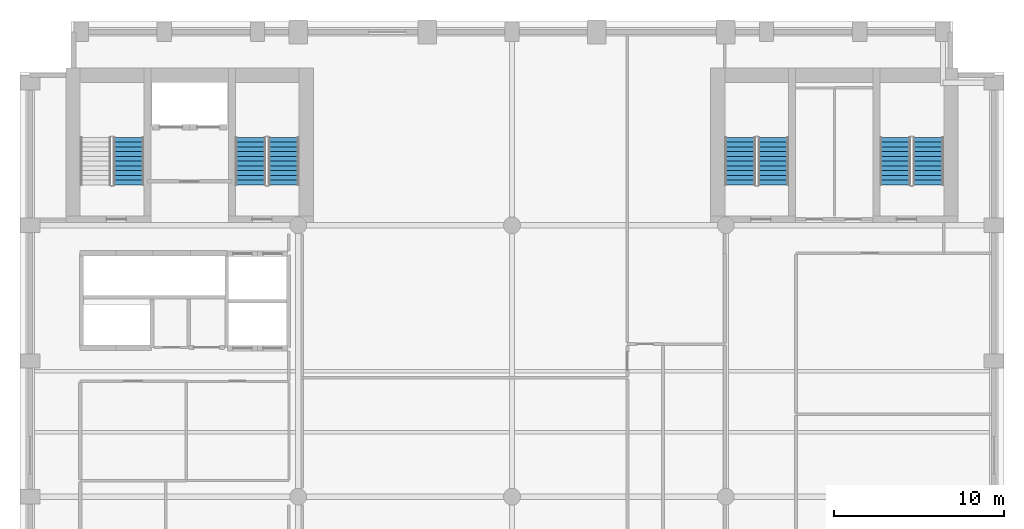
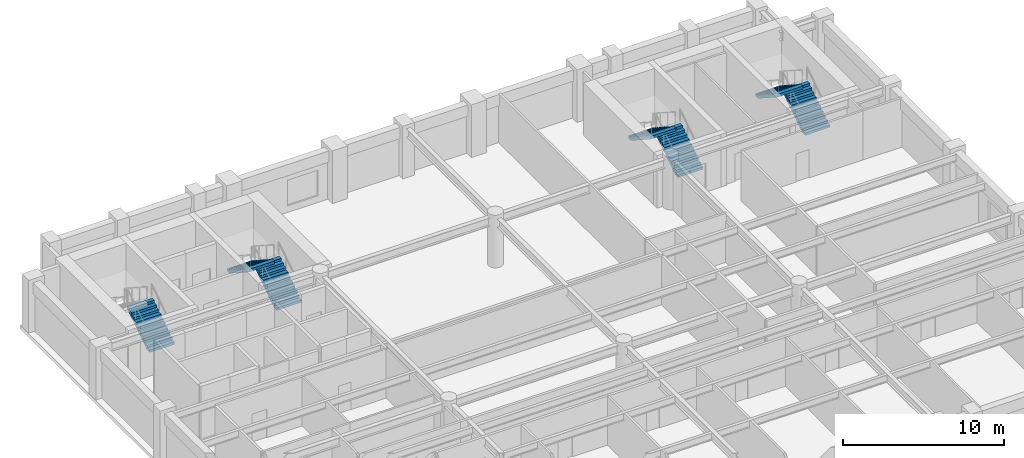
# One storey, part 6 of 8: 7 stair flights, 4 elements without a shape of their own.
"""IFC4 building model written with IfcOpenShell, lengths in metres."""

from ifc_helpers import new_model, si_unit, direction, frame, origin, place, context, subcontext, project, spatial, polyline, outline, extrude, material, type_object, element, aggregate, save


model = new_model("IFC4")

# Units and contexts
model_context = context("Model", 3, precision=1e-05, world=origin(), true_north=direction((0.0, 1.0)))
body_context = subcontext(model_context, "Body", "Model", "MODEL_VIEW")
ifc_project = project(units=[si_unit("LENGTHUNIT", "METRE"), si_unit("AREAUNIT", "SQUARE_METRE"), si_unit("VOLUMEUNIT", "CUBIC_METRE"), si_unit("PLANEANGLEUNIT", "RADIAN"), si_unit("MASSUNIT", "GRAM", prefix="KILO")], contexts=[model_context])

# Site, building, storey
site_placement = place(None, origin())
site = spatial("IfcSite", under=ifc_project, at=site_placement, CompositionType="ELEMENT")
building_placement = place(site_placement, origin())
building = spatial("IfcBuilding", under=site, at=building_placement, Name="Sulina Concourse Tower", CompositionType="ELEMENT")
storey_placement = place(building_placement, frame((0.0, 0.0, 148.60009765625)))
storey = spatial("IfcBuildingStorey", under=building, at=storey_placement, Name="L36", CompositionType="ELEMENT", Elevation=148.60009765625)

# Stair, stair flights
ifc_material_1 = material(Name="Concrete C50/60", Category="concrete")
stair_type_1 = type_object("IfcStairType", Name="Portal & Podium Core Exit Stair 1820mm", PredefinedType="HALF_TURN_STAIR", material=ifc_material_1)
stair_1_placement = place(storey_placement, origin())
stair_1 = element("IfcStair", 1, at=stair_1_placement, inside=storey, type_object=stair_type_1, Name="L36 ST-3", PredefinedType="HALF_TURN_STAIR")
ifc_material_2 = material(Name="Concrete C50/60", Category="concrete")
stair_flight_type_1 = type_object("IfcStairFlightType", Name="Portal & Podium Core Exit Stair 1820mm Flight", PredefinedType="STRAIGHT", material=ifc_material_2)
stair_flight_1_placement = place(storey_placement, frame((44.405029296875, 36.375, 0.0), z_axis=(0.0, 0.0, 1.0), x_axis=(0.0, 1.0, 0.0)))
stair_flight_1 = element("IfcStairFlight", 2, at=stair_flight_1_placement, type_object=stair_flight_type_1, Name="ST-3 flight 1", NumberOfRisers=11, NumberOfTreads=10, PredefinedType="STRAIGHT", RiserHeight=0.181818182, TreadLength=0.28, context=body_context, shape_type="SweptSolid", body=[
    extrude(outline(polyline([(0.0, 0.0), (0.0, 0.181884765625), (0.280029296875, 0.181884765625), (0.280029296875, 0.363525390625), (0.56005859375, 0.363525390625), (0.56005859375, 0.54541015625), (0.840087890625, 0.54541015625), (0.840087890625, 0.727294921875), (1.1201171875, 0.727294921875), (1.1201171875, 0.9091796875), (1.39990234375, 0.9091796875), (1.39990234375, 1.0908203125), (1.679931640625, 1.0908203125), (1.679931640625, 1.272705078125), (1.9599609375, 1.272705078125), (1.9599609375, 1.45458984375), (2.239990234375, 1.45458984375), (2.239990234375, 1.636474609375), (2.52001953125, 1.636474609375), (2.52001953125, 1.818115234375), (2.800048828125, 1.818115234375), (2.800048828125, 2.0), (2.800048828125, 1.603759765625), (0.330322265625, 0.0), (0.0, 0.0)])), frame((0.0, 0.89990234375, 0.0), z_axis=(0.0, -1.0, 0.0), x_axis=(1.0, 0.0, 0.0)), (0.0, 0.0, 1.0), 1.800048828125),
])
stair_flight_2_placement = place(storey_placement, frame((42.455078125, 39.175048828125, 2.0), z_axis=(0.0, 0.0, 1.0), x_axis=(0.0, -1.0, 0.0)))
stair_flight_2 = element("IfcStairFlight", 3, at=stair_flight_2_placement, type_object=stair_flight_type_1, Name="ST-3 flight 2", NumberOfRisers=11, NumberOfTreads=10, PredefinedType="STRAIGHT", RiserHeight=0.181818182, TreadLength=0.28, context=body_context, shape_type="SweptSolid", body=[
    extrude(outline(polyline([(0.0, 0.0), (0.0, 0.181884765625), (0.280029296875, 0.181884765625), (0.280029296875, 0.363525390625), (0.56005859375, 0.363525390625), (0.56005859375, 0.54541015625), (0.840087890625, 0.54541015625), (0.840087890625, 0.727294921875), (1.1201171875, 0.727294921875), (1.1201171875, 0.9091796875), (1.39990234375, 0.9091796875), (1.39990234375, 1.0908203125), (1.679931640625, 1.0908203125), (1.679931640625, 1.272705078125), (1.9599609375, 1.272705078125), (1.9599609375, 1.45458984375), (2.239990234375, 1.45458984375), (2.239990234375, 1.636474609375), (2.52001953125, 1.636474609375), (2.52001953125, 1.818115234375), (2.800048828125, 1.818115234375), (2.800048828125, 2.0), (2.800048828125, 1.603759765625), (0.330322265625, 0.0), (0.0, 0.0)])), frame((0.0, 0.89990234375, 0.0), z_axis=(0.0, -1.0, 0.0), x_axis=(1.0, 0.0, 0.0)), (0.0, 0.0, 1.0), 1.800048828125),
])
aggregate(stair_1, [stair_flight_1, stair_flight_2])

stair_2_placement = place(storey_placement, origin())
stair_2 = element("IfcStair", 4, at=stair_2_placement, inside=storey, type_object=stair_type_1, Name="L36 ST-4", PredefinedType="HALF_TURN_STAIR")
stair_flight_3_placement = place(storey_placement, frame((53.544921875, 36.375, 0.0), z_axis=(0.0, 0.0, 1.0), x_axis=(0.0, 1.0, 0.0)))
stair_flight_3 = element("IfcStairFlight", 5, at=stair_flight_3_placement, type_object=stair_flight_type_1, Name="ST-4 flight 1", NumberOfRisers=11, NumberOfTreads=10, PredefinedType="STRAIGHT", RiserHeight=0.181818182, TreadLength=0.28, context=body_context, shape_type="SweptSolid", body=[
    extrude(outline(polyline([(0.0, 0.0), (0.0, 0.181884765625), (0.280029296875, 0.181884765625), (0.280029296875, 0.363525390625), (0.56005859375, 0.363525390625), (0.56005859375, 0.54541015625), (0.840087890625, 0.54541015625), (0.840087890625, 0.727294921875), (1.1201171875, 0.727294921875), (1.1201171875, 0.9091796875), (1.39990234375, 0.9091796875), (1.39990234375, 1.0908203125), (1.679931640625, 1.0908203125), (1.679931640625, 1.272705078125), (1.9599609375, 1.272705078125), (1.9599609375, 1.45458984375), (2.239990234375, 1.45458984375), (2.239990234375, 1.636474609375), (2.52001953125, 1.636474609375), (2.52001953125, 1.818115234375), (2.800048828125, 1.818115234375), (2.800048828125, 2.0), (2.800048828125, 1.603759765625), (0.330322265625, 0.0), (0.0, 0.0)])), frame((0.0, 0.89990234375, 0.0), z_axis=(0.0, -1.0, 0.0), x_axis=(1.0, 0.0, 0.0)), (0.0, 0.0, 1.0), 1.800048828125),
])
stair_flight_4_placement = place(storey_placement, frame((51.594970703125, 39.175048828125, 2.0), z_axis=(0.0, 0.0, 1.0), x_axis=(0.0, -1.0, 0.0)))
stair_flight_4 = element("IfcStairFlight", 6, at=stair_flight_4_placement, type_object=stair_flight_type_1, Name="ST-4 flight 2", NumberOfRisers=11, NumberOfTreads=10, PredefinedType="STRAIGHT", RiserHeight=0.181818182, TreadLength=0.28, context=body_context, shape_type="SweptSolid", body=[
    extrude(outline(polyline([(0.0, 0.0), (0.0, 0.181884765625), (0.280029296875, 0.181884765625), (0.280029296875, 0.363525390625), (0.56005859375, 0.363525390625), (0.56005859375, 0.54541015625), (0.840087890625, 0.54541015625), (0.840087890625, 0.727294921875), (1.1201171875, 0.727294921875), (1.1201171875, 0.9091796875), (1.39990234375, 0.9091796875), (1.39990234375, 1.0908203125), (1.679931640625, 1.0908203125), (1.679931640625, 1.272705078125), (1.9599609375, 1.272705078125), (1.9599609375, 1.45458984375), (2.239990234375, 1.45458984375), (2.239990234375, 1.636474609375), (2.52001953125, 1.636474609375), (2.52001953125, 1.818115234375), (2.800048828125, 1.818115234375), (2.800048828125, 2.0), (2.800048828125, 1.603759765625), (0.330322265625, 0.0), (0.0, 0.0)])), frame((0.0, 0.89990234375, 0.0), z_axis=(0.0, -1.0, 0.0), x_axis=(1.0, 0.0, 0.0)), (0.0, 0.0, 1.0), 1.800048828125),
])
aggregate(stair_2, [stair_flight_3, stair_flight_4])

# Stair, stair flight
ifc_material_3 = material(Name="Concrete C50/60", Category="concrete")
stair_type_2 = type_object("IfcStairType", Name="Primary Core Dog-Leg Exit Stair 1800mm", PredefinedType="HALF_TURN_STAIR", material=ifc_material_3)
stair_3_placement = place(storey_placement, origin())
stair_3 = element("IfcStair", 7, at=stair_3_placement, inside=storey, type_object=stair_type_2, Name="L36 ST-1", PredefinedType="HALF_TURN_STAIR")
ifc_material_4 = material(Name="Concrete C50/60", Category="concrete")
stair_flight_type_2 = type_object("IfcStairFlightType", Name="Primary Core Dog-Leg Exit Stair 1800mm Flight", PredefinedType="STRAIGHT", material=ifc_material_4)
stair_flight_5_placement = place(storey_placement, frame((6.405029296875, 36.375, 0.0), z_axis=(0.0, 0.0, 1.0), x_axis=(0.0, 1.0, 0.0)))
stair_flight_5 = element("IfcStairFlight", 8, at=stair_flight_5_placement, type_object=stair_flight_type_2, Name="ST-1 flight 1", NumberOfRisers=11, NumberOfTreads=10, PredefinedType="STRAIGHT", RiserHeight=0.181818182, TreadLength=0.28, context=body_context, shape_type="SweptSolid", body=[
    extrude(outline(polyline([(0.0, 0.0), (0.0, 0.181884765625), (0.280029296875, 0.181884765625), (0.280029296875, 0.363525390625), (0.56005859375, 0.363525390625), (0.56005859375, 0.54541015625), (0.840087890625, 0.54541015625), (0.840087890625, 0.727294921875), (1.1201171875, 0.727294921875), (1.1201171875, 0.9091796875), (1.39990234375, 0.9091796875), (1.39990234375, 1.0908203125), (1.679931640625, 1.0908203125), (1.679931640625, 1.272705078125), (1.9599609375, 1.272705078125), (1.9599609375, 1.45458984375), (2.239990234375, 1.45458984375), (2.239990234375, 1.636474609375), (2.52001953125, 1.636474609375), (2.52001953125, 1.818115234375), (2.800048828125, 1.818115234375), (2.800048828125, 2.0), (2.800048828125, 1.603759765625), (0.330322265625, 0.0), (0.0, 0.0)])), frame((0.0, 0.89990234375, 0.0), z_axis=(0.0, -1.0, 0.0), x_axis=(1.0, 0.0, 0.0)), (0.0, 0.0, 1.0), 1.800048828125),
])
aggregate(stair_3, [stair_flight_5])

# Stair, stair flights
stair_4_placement = place(storey_placement, origin())
stair_4 = element("IfcStair", 9, at=stair_4_placement, inside=storey, type_object=stair_type_2, Name="L36 ST-2", PredefinedType="HALF_TURN_STAIR")
stair_flight_6_placement = place(storey_placement, frame((15.544921875, 36.375, 0.0), z_axis=(0.0, 0.0, 1.0), x_axis=(0.0, 1.0, 0.0)))
stair_flight_6 = element("IfcStairFlight", 10, at=stair_flight_6_placement, type_object=stair_flight_type_2, Name="ST-2 flight 1", NumberOfRisers=11, NumberOfTreads=10, PredefinedType="STRAIGHT", RiserHeight=0.181818182, TreadLength=0.28, context=body_context, shape_type="SweptSolid", body=[
    extrude(outline(polyline([(0.0, 0.0), (0.0, 0.181884765625), (0.280029296875, 0.181884765625), (0.280029296875, 0.363525390625), (0.56005859375, 0.363525390625), (0.56005859375, 0.54541015625), (0.840087890625, 0.54541015625), (0.840087890625, 0.727294921875), (1.1201171875, 0.727294921875), (1.1201171875, 0.9091796875), (1.39990234375, 0.9091796875), (1.39990234375, 1.0908203125), (1.679931640625, 1.0908203125), (1.679931640625, 1.272705078125), (1.9599609375, 1.272705078125), (1.9599609375, 1.45458984375), (2.239990234375, 1.45458984375), (2.239990234375, 1.636474609375), (2.52001953125, 1.636474609375), (2.52001953125, 1.818115234375), (2.800048828125, 1.818115234375), (2.800048828125, 2.0), (2.800048828125, 1.603759765625), (0.330322265625, 0.0), (0.0, 0.0)])), frame((0.0, 0.89990234375, 0.0), z_axis=(0.0, -1.0, 0.0), x_axis=(1.0, 0.0, 0.0)), (0.0, 0.0, 1.0), 1.800048828125),
])
stair_flight_7_placement = place(storey_placement, frame((13.594970703125, 39.175048828125, 2.0), z_axis=(0.0, 0.0, 1.0), x_axis=(0.0, -1.0, 0.0)))
stair_flight_7 = element("IfcStairFlight", 11, at=stair_flight_7_placement, type_object=stair_flight_type_2, Name="ST-2 flight 2", NumberOfRisers=11, NumberOfTreads=10, PredefinedType="STRAIGHT", RiserHeight=0.181818182, TreadLength=0.28, context=body_context, shape_type="SweptSolid", body=[
    extrude(outline(polyline([(0.0, 0.0), (0.0, 0.181884765625), (0.280029296875, 0.181884765625), (0.280029296875, 0.363525390625), (0.56005859375, 0.363525390625), (0.56005859375, 0.54541015625), (0.840087890625, 0.54541015625), (0.840087890625, 0.727294921875), (1.1201171875, 0.727294921875), (1.1201171875, 0.9091796875), (1.39990234375, 0.9091796875), (1.39990234375, 1.0908203125), (1.679931640625, 1.0908203125), (1.679931640625, 1.272705078125), (1.9599609375, 1.272705078125), (1.9599609375, 1.45458984375), (2.239990234375, 1.45458984375), (2.239990234375, 1.636474609375), (2.52001953125, 1.636474609375), (2.52001953125, 1.818115234375), (2.800048828125, 1.818115234375), (2.800048828125, 2.0), (2.800048828125, 1.603759765625), (0.330322265625, 0.0), (0.0, 0.0)])), frame((0.0, 0.89990234375, 0.0), z_axis=(0.0, -1.0, 0.0), x_axis=(1.0, 0.0, 0.0)), (0.0, 0.0, 1.0), 1.800048828125),
])
aggregate(stair_4, [stair_flight_6, stair_flight_7])

save(model, "model.ifc")
